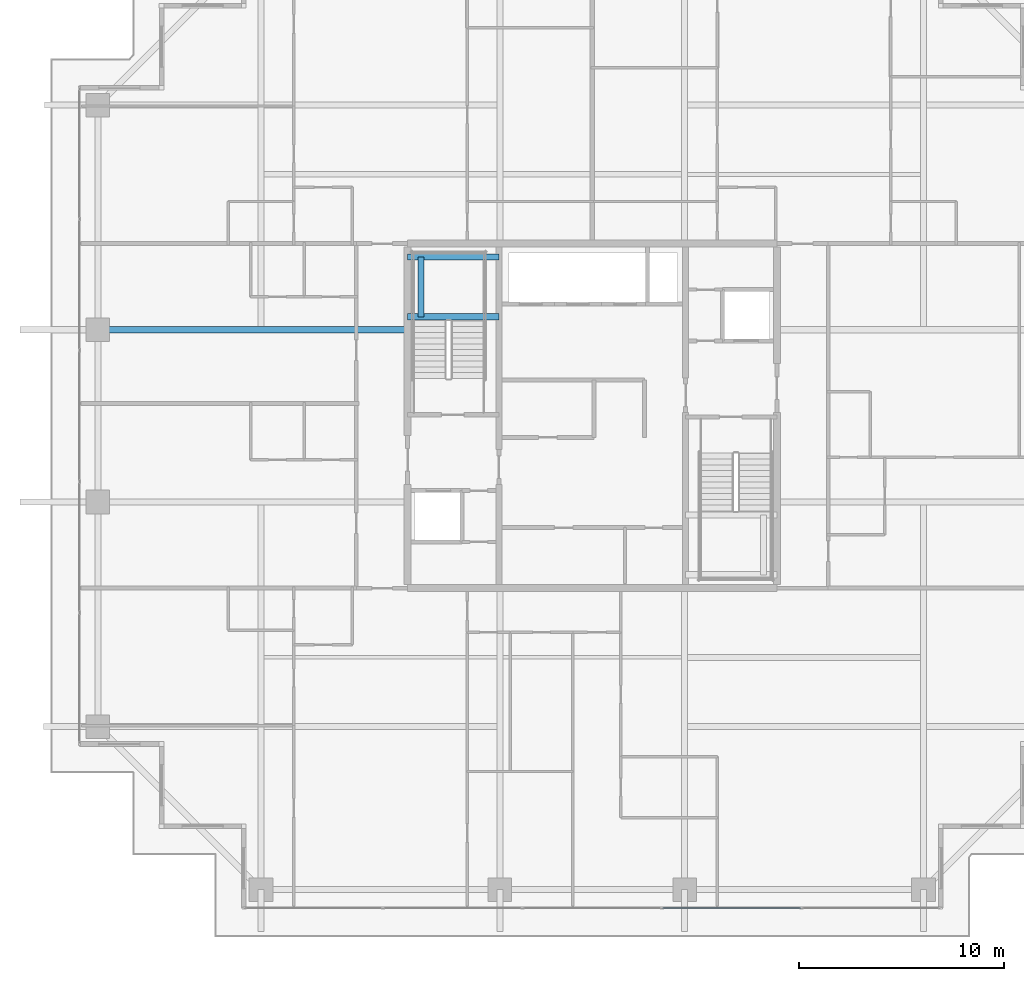
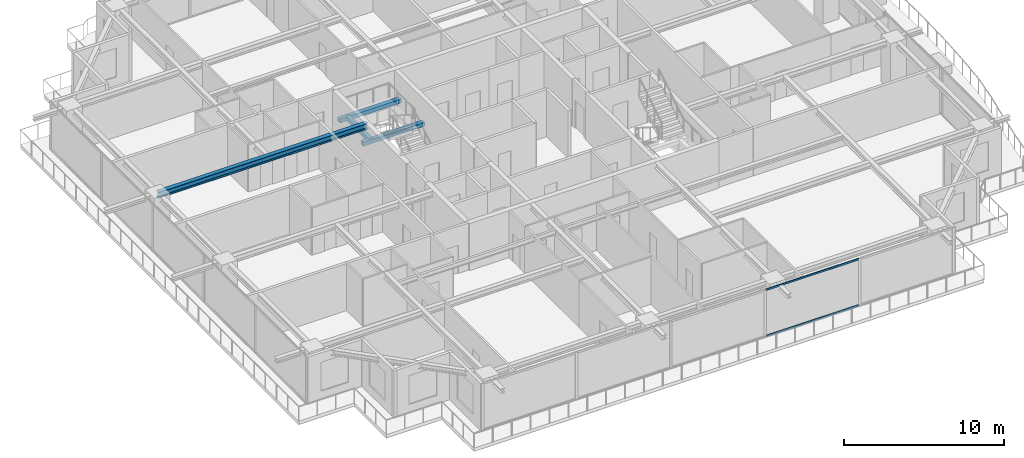
# One storey, part 10 of 37: 4 beams, 2 members, 1 element without a shape of its own.
"""IFC4 building model written with IfcOpenShell, lengths in metres."""

from ifc_helpers import new_model, si_unit, direction, frame, origin, origin_2d, place, context, subcontext, project, spatial, rectangle, hollow_rectangle, i_section, extrude, source, transform, mapped, material, layer, layer_set, material_profile, profile_set, type_object, element, aggregate, save


model = new_model("IFC4")

# Units and contexts
model_context = context("Model", 3, precision=1e-05, world=origin(), true_north=direction((0.0, 1.0)))
body_context = subcontext(model_context, "Body", "Model", "MODEL_VIEW")
ifc_project = project(units=[si_unit("LENGTHUNIT", "METRE"), si_unit("AREAUNIT", "SQUARE_METRE"), si_unit("VOLUMEUNIT", "CUBIC_METRE"), si_unit("PLANEANGLEUNIT", "RADIAN"), si_unit("MASSUNIT", "GRAM", prefix="KILO")], contexts=[model_context])

# Site, building, storey
site_placement = place(None, origin())
site = spatial("IfcSite", under=ifc_project, at=site_placement, CompositionType="ELEMENT")
building_placement = place(site_placement, origin())
building = spatial("IfcBuilding", under=site, at=building_placement, Name="Serunith Strait Residences", CompositionType="ELEMENT")
storey_placement = place(building_placement, frame((0.0, 0.0, 233.550048828125)))
storey = spatial("IfcBuildingStorey", under=building, at=storey_placement, Name="L58", CompositionType="ELEMENT", Elevation=233.550048828125)

# Beams
ifc_material_1 = material(Name="Steel S355J2", Category="steel")
ifc_material_profile_1 = material_profile(ifc_material_1, i_section(OverallWidth=0.300048828125, OverallDepth=0.449951171875, WebThickness=0.013916015625, FlangeThickness=0.02587890625, FilletRadius=0.027099609375, at=origin_2d()), Name="HEB 450")
ifc_profile_set_1 = profile_set([ifc_material_profile_1], Name="Steel S355J2")
beam_type_1 = type_object("IfcBeamType", Name="BM-HEB450", PredefinedType="BEAM", material=ifc_profile_set_1)
shared_shape_1 = source(origin(), body_context, "Body", "SweptSolid", [
    extrude(i_section(OverallWidth=0.300048828125, OverallDepth=0.449951171875, WebThickness=0.013916015625, FlangeThickness=0.02587890625, FilletRadius=0.027099609375, at=origin_2d()), origin(), (0.0, 0.0, 1.0), 15.099853515625),
])
beam_1_placement = place(storey_placement, frame((23.39990234375, 29.39990234375, 3.362060546875), z_axis=(-1.0, 0.0, 0.0), x_axis=(0.0, -1.0, 0.0)))
element("IfcBeam", 1, at=beam_1_placement, inside=storey, type_object=beam_type_1, Name="L58 Primary Floor Girder TC-W3", PredefinedType="BEAM", context=body_context, shape_type="MappedRepresentation", body=[
    mapped(shared_shape_1, transform((0.0, 0.0, 0.0), scale=1.0)),
])
ifc_material_2 = material(Name="Concrete C60/75", Category="concrete")
ifc_material_profile_2 = material_profile(ifc_material_2, rectangle(XDim=0.300048828125, YDim=0.300048828125, at=origin_2d()), Name="RC 300x300")
ifc_profile_set_2 = profile_set([ifc_material_profile_2], Name="Concrete C60/75")
beam_type_2 = type_object("IfcBeamType", Name="BM-LAND-300x300", PredefinedType="BEAM", material=ifc_profile_set_2)
shared_shape_2 = source(origin(), body_context, "Body", "SweptSolid", [
    extrude(rectangle(XDim=0.300048828125, YDim=0.300048828125, at=origin_2d()), origin(), (0.0, 0.0, 1.0), 4.4501953125),
])
for number, where, z_axis, x_axis, name in (
    (2, (23.39990234375, 30.030029296875, 1.574951171875), (1.0, 0.0, 0.0), (0.0, 1.0, 0.0), "L58 ST-1 Landing Support Beam 1"),
    (3, (23.39990234375, 32.949951171875, 1.574951171875), (1.0, 0.0, 0.0), (0.0, 1.0, 0.0), "L58 ST-1 Landing Support Beam 2"),
):
    element("IfcBeam", number, at=place(storey_placement, frame(where, z_axis=z_axis, x_axis=x_axis)), inside=storey, type_object=beam_type_2, Name=name, PredefinedType="BEAM", context=body_context, shape_type="MappedRepresentation", body=[
        mapped(shared_shape_2, transform((0.0, 0.0, 0.0), scale=1.0)),
    ])
shared_shape_3 = source(origin(), body_context, "Body", "SweptSolid", [
    extrude(rectangle(XDim=0.300048828125, YDim=0.300048828125, at=origin_2d()), origin(), (0.0, 0.0, 1.0), 2.919921875),
])
beam_2_placement = place(storey_placement, frame((24.050048828125, 30.030029296875, 1.574951171875), z_axis=(0.0, 1.0, 0.0), x_axis=(-1.0, 0.0, 0.0)))
element("IfcBeam", 4, at=beam_2_placement, inside=storey, type_object=beam_type_2, Name="L58 ST-1 Landing Transverse Tie Beam", PredefinedType="BEAM", context=body_context, shape_type="MappedRepresentation", body=[
    mapped(shared_shape_3, transform((0.0, 0.0, 0.0), scale=1.0)),
])

# Curtain wall, members
ifc_material_3 = material(Name="Pale-Champagne Anodised Aluminium", Category="aluminium")
ifc_layer = layer(ifc_material_3, 0.199951171875, Name="Pale-Champagne Anodised Aluminium")
ifc_layer_set = layer_set([ifc_layer], Name="Pale-Champagne Anodised Aluminium")
curtain_wall_type = type_object("IfcCurtainWallType", Name="CW-SYS4", PredefinedType="NOTDEFINED", material=ifc_layer_set)
curtain_wall_placement = place(storey_placement, origin())
curtain_wall = element("IfcCurtainWall", 5, at=curtain_wall_placement, inside=storey, type_object=curtain_wall_type, Name="L58 S Unitised Fritted Curtain Wall", PredefinedType="NOTDEFINED")
ifc_material_profile_3 = material_profile(ifc_material_3, hollow_rectangle(XDim=0.06005859375, YDim=0.139892578125, WallThickness=0.00341796875, InnerFilletRadius=0.00537109375, OuterFilletRadius=0.0087890625, at=origin_2d()), Name="ALU 140x60x3.5")
ifc_profile_set_3 = profile_set([ifc_material_profile_3], Name="Pale-Champagne Anodised Aluminium")
member_type = type_object("IfcMemberType", Name="CW-SYS4-TRAN", PredefinedType="USERDEFINED", material=ifc_profile_set_3)
shared_shape_4 = source(origin(), body_context, "Body", "SweptSolid", [
    extrude(hollow_rectangle(XDim=0.06005859375, YDim=0.139892578125, WallThickness=0.00341796875, InnerFilletRadius=0.00537109375, OuterFilletRadius=0.0087890625, at=origin_2d()), origin(), (0.0, 0.0, 1.0), 6.73486328125),
])
member_1_placement = place(storey_placement, frame((35.83251953125, 1.199951171875, 0.030029296875), z_axis=(1.0, 0.0, 0.0), x_axis=(0.0, 1.0, 0.0)))
member_1 = element("IfcMember", 6, at=member_1_placement, type_object=member_type, Name="CW-4 transom 4.1", ObjectType="TRANSOM", PredefinedType="USERDEFINED", context=body_context, shape_type="MappedRepresentation", body=[
    mapped(shared_shape_4, transform((0.0, 0.0, 0.0), scale=1.0)),
])
member_2_placement = place(storey_placement, frame((35.83251953125, 1.199951171875, 3.544921875), z_axis=(1.0, 0.0, 0.0), x_axis=(0.0, 1.0, 0.0)))
member_2 = element("IfcMember", 7, at=member_2_placement, type_object=member_type, Name="CW-4 transom 4.2", ObjectType="TRANSOM", PredefinedType="USERDEFINED", context=body_context, shape_type="MappedRepresentation", body=[
    mapped(shared_shape_4, transform((0.0, 0.0, 0.0), scale=1.0)),
])
aggregate(curtain_wall, [member_1, member_2])

save(model, "model.ifc")
